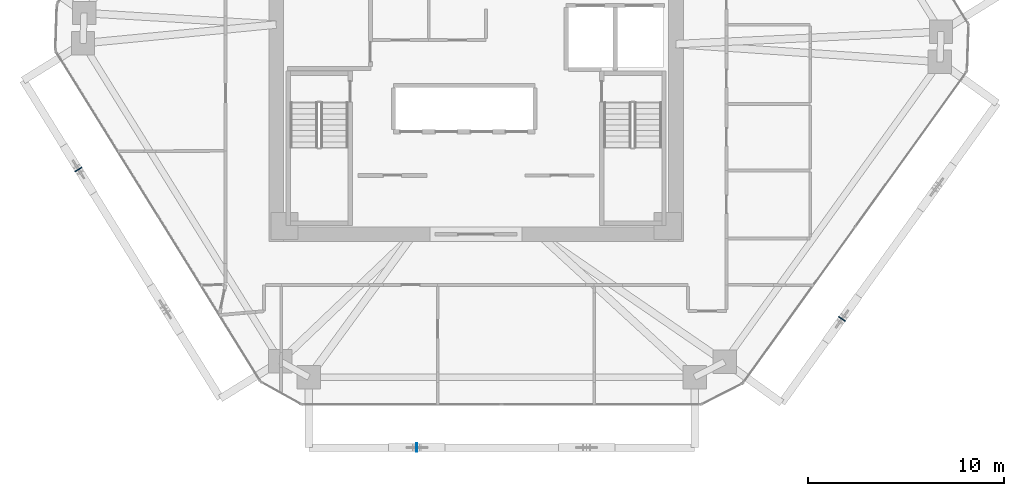
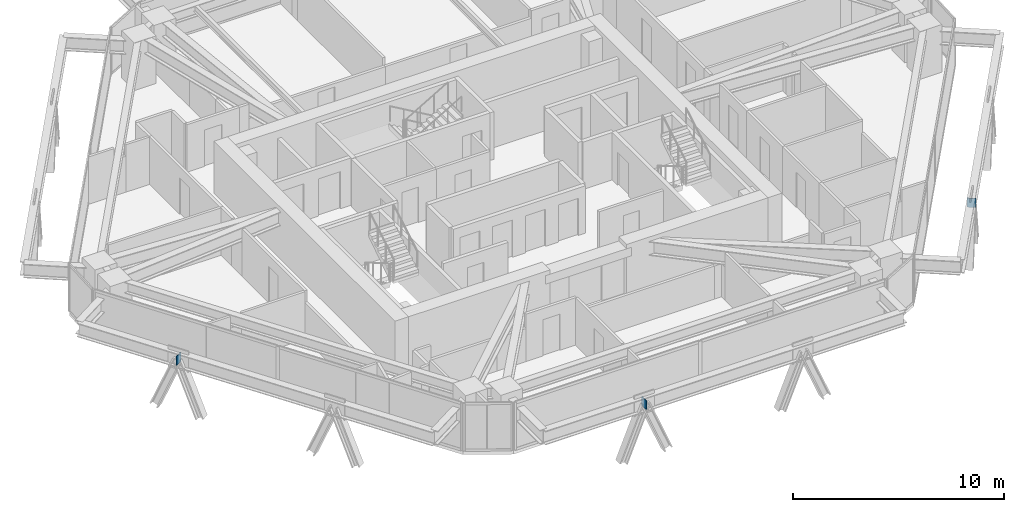
# One storey, part 10 of 17: 3 plates.
"""IFC4 building model written with IfcOpenShell, lengths in metres."""

from ifc_helpers import new_model, si_unit, direction, frame, origin, origin_2d, place, context, subcontext, project, spatial, rectangle, extrude, source, transform, mapped, material, layer, layer_set, type_object, type_shapes, element, save


model = new_model("IFC4")

# Units and contexts
model_context = context("Model", 3, precision=1e-05, world=origin(), true_north=direction((0.0, 1.0)))
body_context = subcontext(model_context, "Body", "Model", "MODEL_VIEW")
ifc_project = project(units=[si_unit("LENGTHUNIT", "METRE"), si_unit("AREAUNIT", "SQUARE_METRE"), si_unit("VOLUMEUNIT", "CUBIC_METRE"), si_unit("PLANEANGLEUNIT", "RADIAN"), si_unit("MASSUNIT", "GRAM", prefix="KILO")], contexts=[model_context])

# Site, building, storey
site_placement = place(None, origin())
site = spatial("IfcSite", under=ifc_project, at=site_placement, CompositionType="ELEMENT")
building_placement = place(site_placement, origin())
building = spatial("IfcBuilding", under=site, at=building_placement, Name="Durnholm Broadcast Tower", CompositionType="ELEMENT")
storey_placement = place(building_placement, frame((0.0, 0.0, 143.10009765625)))
storey = spatial("IfcBuildingStorey", under=building, at=storey_placement, Name="L39", CompositionType="ELEMENT", Elevation=143.10009765625)

# Plates
ifc_material = material(Name="Steel ASTM A572 Grade 50", Category="steel")
ifc_layer = layer(ifc_material, 0.044921875)
ifc_layer_set = layer_set([ifc_layer], Name="Steel ASTM A572 Grade 50")
plate_type = type_object("IfcPlateType", Name="PLT-KN-STIF", PredefinedType="SHEET", material=ifc_layer_set)
shared_shape = source(origin(), body_context, "Body", "SweptSolid", [
    extrude(rectangle(XDim=0.044921875, YDim=0.419921875, at=origin_2d()), origin(), (0.0, 0.0, 1.0), 0.52001953125),
])
type_shapes(plate_type, [shared_shape])
for number, where, z_axis, x_axis, name in (
    (1, (-3.028076171875, -19.136962890625, 1.74853515625), (0.0, 0.0, 1.0), (1.0, 0.0, 0.0), "L39 welded diagrid node stiffener plate F1"),
    (2, (18.71875, -12.556396484375, 1.74853515625), (0.0, 0.0, 1.0), (0.583399467156, 0.812185361677, 0.0), "L39 welded diagrid node stiffener plate F2"),
    (3, (-20.337158203125, -4.910400390625, 1.74853515625), (0.0, 0.0, 1.0), (0.527104121728, -0.849800708906, 0.0), "L39 welded diagrid node stiffener plate F6"),
):
    element("IfcPlate", number, at=place(storey_placement, frame(where, z_axis=z_axis, x_axis=x_axis)), inside=storey, type_object=plate_type, Name=name, PredefinedType="SHEET", context=body_context, shape_type="MappedRepresentation", body=[
        mapped(shared_shape, transform((0.0, 0.0, 0.0), x_axis=(1.0, 0.0, 0.0), y_axis=(0.0, 1.0, 0.0), z_axis=(0.0, 0.0, 1.0), scale=1.0)),
    ])

save(model, "model.ifc")
